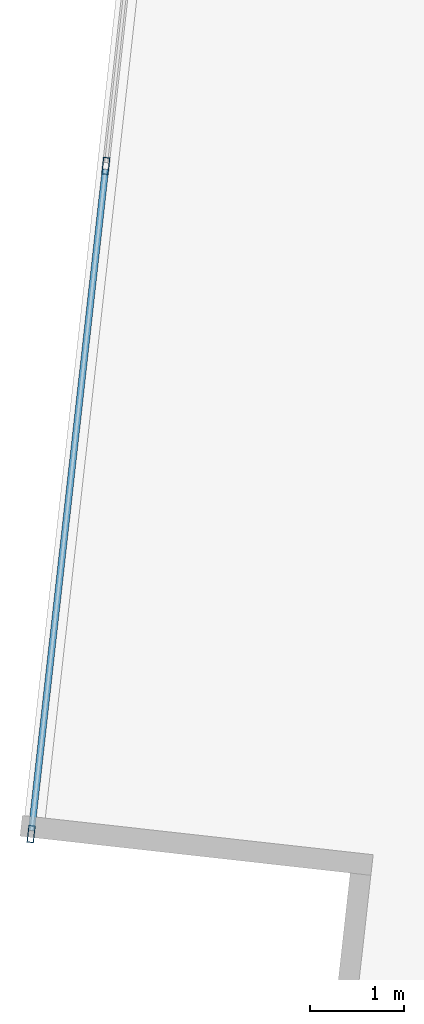
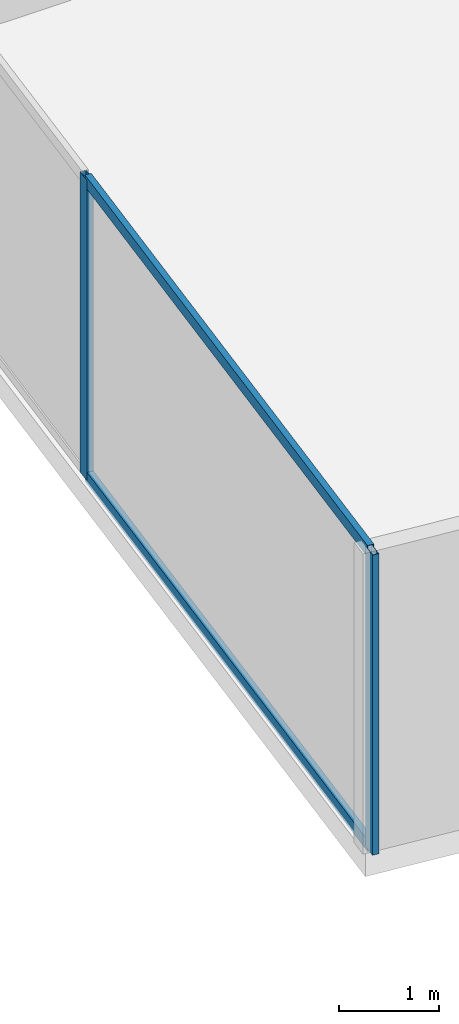
# One storey, part 3 of 31: 4 members, 1 element without a shape of its own.
"""IFC4 building model written with IfcOpenShell, lengths in metres."""

from ifc_helpers import new_model, si_unit, direction, frame, origin, origin_2d, place, context, subcontext, project, spatial, hollow_rectangle, extrude, source, transform, mapped, material, material_profile, profile_set, type_object, type_shapes, element, aggregate, save


model = new_model("IFC4")

# Units and contexts
model_context = context("Model", 3, precision=1e-05, world=origin(), true_north=direction((0.0, 1.0)))
body_context = subcontext(model_context, "Body", "Model", "MODEL_VIEW")
ifc_project = project(units=[si_unit("LENGTHUNIT", "METRE"), si_unit("AREAUNIT", "SQUARE_METRE"), si_unit("VOLUMEUNIT", "CUBIC_METRE"), si_unit("PLANEANGLEUNIT", "RADIAN"), si_unit("MASSUNIT", "GRAM", prefix="KILO")], contexts=[model_context])

# Site, building, storey
site_placement = place(None, origin())
site = spatial("IfcSite", under=ifc_project, at=site_placement, CompositionType="ELEMENT")
building_placement = place(site_placement, origin())
building = spatial("IfcBuilding", under=site, at=building_placement, Name="Krantzveldt Concourse Tower", CompositionType="ELEMENT")
storey_placement = place(building_placement, frame((0.0, 0.0, 56.60009765625)))
storey = spatial("IfcBuildingStorey", under=building, at=storey_placement, Name="L13", CompositionType="ELEMENT", Elevation=56.60009765625)

# Curtain wall, members
ifc_material = material(Name="Anodised aluminium 6063-T6", Category="aluminium")
curtain_wall_type = type_object("IfcCurtainWallType", Name="CW2", PredefinedType="USERDEFINED", material=ifc_material)
curtain_wall_placement = place(storey_placement, origin())
curtain_wall = element("IfcCurtainWall", 1, at=curtain_wall_placement, inside=storey, type_object=curtain_wall_type, Name="CW-L13-F01", ObjectType="UNITISED CURTAIN WALL", PredefinedType="USERDEFINED")
ifc_material_profile_1 = material_profile(ifc_material, hollow_rectangle(XDim=0.070068359375, YDim=0.179931640625, WallThickness=0.0048828125, at=origin_2d()), Name="Anodised aluminium 6063-T6", Category="aluminium")
ifc_profile_set_1 = profile_set([ifc_material_profile_1], Name="Anodised aluminium 6063-T6 - ALU-MULL 180x70x5")
member_type_1 = type_object("IfcMemberType", Name="CW-MUL-180", PredefinedType="MULLION", material=ifc_profile_set_1)
shared_shape_1 = source(origin(), body_context, "Body", "SweptSolid", [
    extrude(hollow_rectangle(XDim=0.070068359375, YDim=0.179931640625, WallThickness=0.0048828125, at=origin_2d()), origin(), (0.0, 0.0, 1.0), 3.669921875),
])
type_shapes(member_type_1, [shared_shape_1])
member_1_placement = place(storey_placement, frame((9.652587890625, 15.22119140625, 0.0), z_axis=(0.0, 0.0, 1.0), x_axis=(0.993816458223, -0.111035342863, 0.0)))
member_1 = element("IfcMember", 2, at=member_1_placement, type_object=member_type_1, Name="CW-Z12 mullion 6", PredefinedType="MULLION", context=body_context, shape_type="MappedRepresentation", body=[
    mapped(shared_shape_1, transform((0.0, 0.0, 0.0), x_axis=(1.0, 0.0, 0.0), y_axis=(0.0, 1.0, 0.0), z_axis=(0.0, 0.0, 1.0), scale=1.0)),
])
member_2_placement = place(storey_placement, frame((8.860595703125, 8.133544921875, 0.0), z_axis=(0.0, 0.0, 1.0), x_axis=(0.993816458223, -0.111035342863, 0.0)))
member_2 = element("IfcMember", 3, at=member_2_placement, type_object=member_type_1, Name="CW-Z12 mullion 7", PredefinedType="MULLION", context=body_context, shape_type="MappedRepresentation", body=[
    mapped(shared_shape_1, transform((0.0, 0.0, 0.0), x_axis=(1.0, 0.0, 0.0), y_axis=(0.0, 1.0, 0.0), z_axis=(0.0, 0.0, 1.0), scale=1.0)),
])
ifc_material_profile_2 = material_profile(ifc_material, hollow_rectangle(XDim=0.070068359375, YDim=0.139892578125, WallThickness=0.0048828125, at=origin_2d()), Name="Anodised aluminium 6063-T6", Category="aluminium")
ifc_profile_set_2 = profile_set([ifc_material_profile_2], Name="Anodised aluminium 6063-T6 - ALU-TRAN 140x70x5")
member_type_2 = type_object("IfcMemberType", Name="CW-TRN-150", PredefinedType="USERDEFINED", material=ifc_profile_set_2)
shared_shape_2 = source(origin(), body_context, "Body", "SweptSolid", [
    extrude(hollow_rectangle(XDim=0.070068359375, YDim=0.139892578125, WallThickness=0.0048828125, at=origin_2d()), origin(), (0.0, 0.0, 1.0), 7.061767578125),
])
type_shapes(member_type_2, [shared_shape_2])
member_3_placement = place(storey_placement, frame((9.648681640625, 15.1865234375, 0.034912109375), z_axis=(-0.111046217254, -0.993815243208, 0.0), x_axis=(0.993815243208, -0.111046217254, 0.0)))
member_3 = element("IfcMember", 4, at=member_3_placement, type_object=member_type_2, Name="CW-Z12 transom 6.1", ObjectType="TRANSOM", PredefinedType="USERDEFINED", context=body_context, shape_type="MappedRepresentation", body=[
    mapped(shared_shape_2, transform((0.0, 0.0, 0.0), x_axis=(1.0, 0.0, 0.0), y_axis=(0.0, 1.0, 0.0), z_axis=(0.0, 0.0, 1.0), scale=1.0)),
])
member_4_placement = place(storey_placement, frame((9.648681640625, 15.1865234375, 3.635009765625), z_axis=(-0.111046217254, -0.993815243208, 0.0), x_axis=(0.993815243208, -0.111046217254, 0.0)))
member_4 = element("IfcMember", 5, at=member_4_placement, type_object=member_type_2, Name="CW-Z12 transom 6.2", ObjectType="TRANSOM", PredefinedType="USERDEFINED", context=body_context, shape_type="MappedRepresentation", body=[
    mapped(shared_shape_2, transform((0.0, 0.0, 0.0), x_axis=(1.0, 0.0, 0.0), y_axis=(0.0, 1.0, 0.0), z_axis=(0.0, 0.0, 1.0), scale=1.0)),
])
aggregate(curtain_wall, [member_1, member_2, member_3, member_4])

save(model, "model.ifc")
